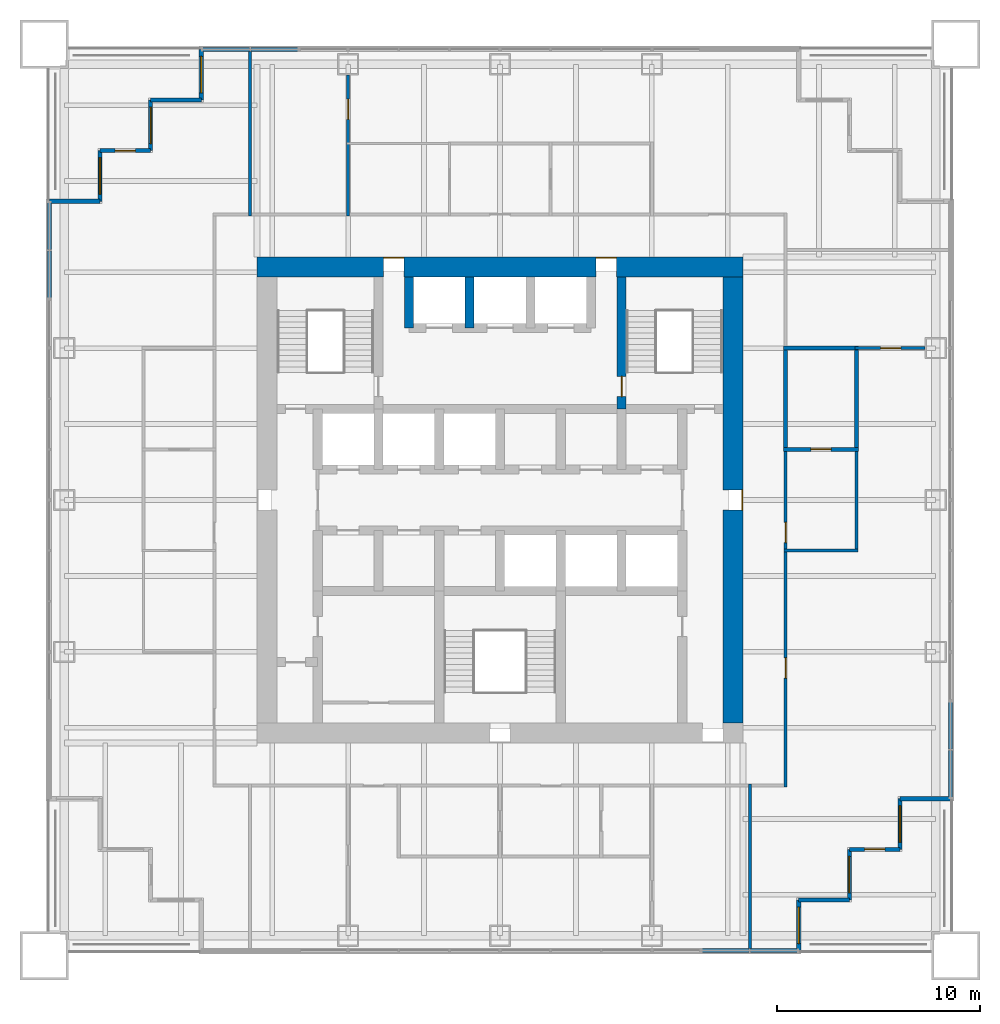
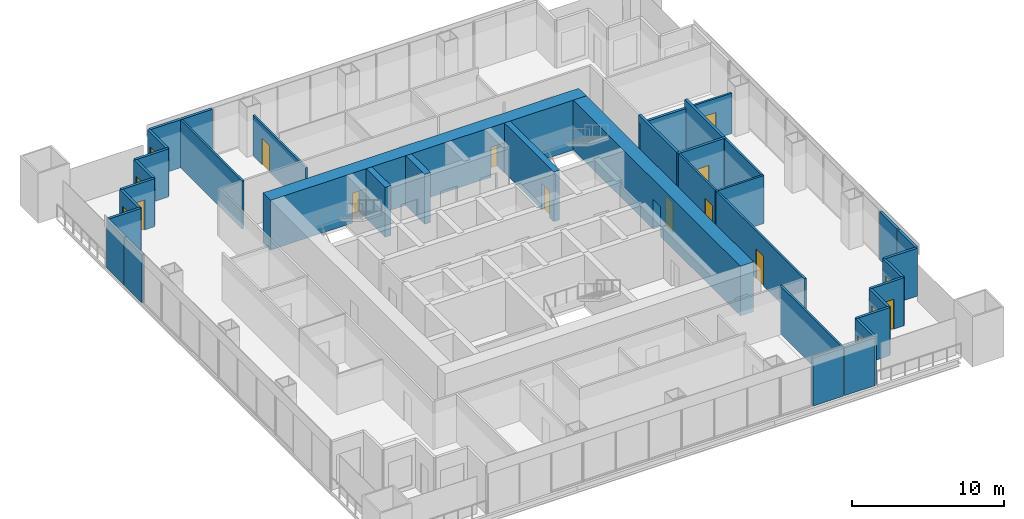
# One storey, part 10 of 13: 36 walls, 11 doors, 6 windows, 17 openings.
"""IFC4 building model written with IfcOpenShell, lengths in metres."""

from ifc_helpers import new_model, si_unit, direction, frame, frame_2d, origin, place, context, subcontext, project, spatial, rectangle, extrude, material, layer, layer_set, type_object, element, fill, save


model = new_model("IFC4")

# Units and contexts
model_context = context("Model", 3, precision=1e-05, world=origin(), true_north=direction((0.0, 1.0)))
body_context = subcontext(model_context, "Body", "Model", "MODEL_VIEW")
ifc_project = project(units=[si_unit("LENGTHUNIT", "METRE"), si_unit("AREAUNIT", "SQUARE_METRE"), si_unit("VOLUMEUNIT", "CUBIC_METRE"), si_unit("PLANEANGLEUNIT", "RADIAN"), si_unit("MASSUNIT", "GRAM", prefix="KILO")], contexts=[model_context])

# Site, building, storey
site_placement = place(None, origin())
site = spatial("IfcSite", under=ifc_project, at=site_placement, CompositionType="ELEMENT")
building_placement = place(site_placement, origin())
building = spatial("IfcBuilding", under=site, at=building_placement, Name="Tarangal Relay Tower", CompositionType="ELEMENT")
storey_placement = place(building_placement, frame((0.0, 0.0, 205.89990234375)))
storey = spatial("IfcBuildingStorey", under=building, at=storey_placement, Name="L43", CompositionType="ELEMENT", Elevation=205.89990234375)

# Wall, opening, door
ifc_material_1 = material(Name="Two layers gypsum board each side on twin steel studs, mineral wool", Category="steel")
ifc_layer_1 = layer(ifc_material_1, 0.199951171875)
ifc_layer_set_1 = layer_set([ifc_layer_1], Name="Acoustic partition 200")
wall_type_1 = type_object("IfcWallType", Name="Acoustic partition 200", PredefinedType="PARTITIONING", material=ifc_layer_set_1)
wall_1_placement = place(storey_placement, frame((14.0, 2.5, 0.0), z_axis=(0.0, 0.0, 1.0), x_axis=(1.0, 0.0, 0.0)))
wall_1 = element("IfcWall", 1, at=wall_1_placement, inside=storey, type_object=wall_type_1, Name="Partition PT2 L43", PredefinedType="PARTITIONING", context=body_context, shape_type="SweptSolid", body=[
    extrude(rectangle(XDim=3.699951171875, YDim=0.199951171875, at=frame_2d((1.85009765625, 0.0))), origin(), (0.0, 0.0, 1.0), 3.85009765625),
])
opening_1_placement = place(wall_1_placement, frame((1.35009765625, 0.0, 0.0)))
opening_1 = element("IfcOpeningElement", 2, at=opening_1_placement, cuts=wall_1, Name="Opening D2", PredefinedType="OPENING", context=body_context, shape_type="SweptSolid", body=[
    extrude(rectangle(XDim=1.0, YDim=2.10009765625, at=frame_2d((0.5, 1.050048828125))), frame((0.0, 0.10986328125, 0.0), z_axis=(0.0, -1.0, 0.0), x_axis=(1.0, 0.0, 0.0)), (0.0, 0.0, 1.0), 0.219970703125),
])
ifc_material_2 = material(Name="Hardwood door", Category="wood")
door_type_1 = type_object("IfcDoorType", Name="Door 1000 x 2100", OperationType="SINGLE_SWING_LEFT", PredefinedType="DOOR", material=ifc_material_2)
door_1_placement = place(opening_1_placement, origin())
door_1 = element("IfcDoor", 3, at=door_1_placement, inside=storey, type_object=door_type_1, Name="Door D2 to meeting room L43-07", OperationType="SINGLE_SWING_LEFT", OverallHeight=2.10009765625, OverallWidth=1.0, PredefinedType="DOOR", context=body_context, shape_type="SweptSolid", body=[
    extrude(rectangle(XDim=1.0, YDim=2.10009765625, at=frame_2d((0.5, 1.050048828125))), frame((0.0, 0.02490234375, 0.0), z_axis=(0.0, -1.0, 0.0), x_axis=(1.0, 0.0, 0.0)), (0.0, 0.0, 1.0), 0.050048828125),
])
fill(opening_1, door_1)

# Walls
wall_2_placement = place(storey_placement, frame((14.0, 7.5, 0.0), z_axis=(0.0, 0.0, 1.0), x_axis=(1.0, 0.0, 0.0)))
element("IfcWall", 4, at=wall_2_placement, inside=storey, type_object=wall_type_1, Name="Partition PT2 L43", PredefinedType="PARTITIONING", context=body_context, shape_type="SweptSolid", body=[
    extrude(rectangle(XDim=3.699951171875, YDim=0.199951171875, at=frame_2d((1.85009765625, 0.0))), origin(), (0.0, 0.0, 1.0), 3.238037109375),
])
for number, where, z_axis, x_axis, name in (
    (5, (14.10009765625, 2.39990234375, 0.0), (0.0, 0.0, 1.0), (0.0, 1.0, 0.0), "Partition PT2 L43"),
    (6, (17.60009765625, 2.39990234375, 0.0), (0.0, 0.0, 1.0), (0.0, 1.0, 0.0), "Partition PT2 L43"),
):
    element("IfcWall", number, at=place(storey_placement, frame(where, z_axis=z_axis, x_axis=x_axis)), inside=storey, type_object=wall_type_1, Name=name, PredefinedType="PARTITIONING", context=body_context, shape_type="SweptSolid", body=[
        extrude(rectangle(XDim=5.2001953125, YDim=0.199951171875, at=frame_2d((2.60009765625, 0.0))), origin(), (0.0, 0.0, 1.0), 3.85009765625),
    ])

# Wall, opening, door
ifc_material_3 = material(Name="Concrete fc' 60 MPa", Category="concrete")
ifc_layer_2 = layer(ifc_material_3, 0.449951171875)
ifc_layer_set_2 = layer_set([ifc_layer_2], Name="Core inner wall 450")
wall_type_2 = type_object("IfcWallType", Name="Core inner wall 450", PredefinedType="SHEAR", material=ifc_layer_set_2)
wall_3_placement = place(storey_placement, frame((6.0, 4.5, 0.0), z_axis=(0.0, 0.0, 1.0), x_axis=(0.0, 1.0, 0.0)))
wall_3 = element("IfcWall", 7, at=wall_3_placement, inside=storey, type_object=wall_type_2, Name="Core wall X6 L43", PredefinedType="SHEAR", context=body_context, shape_type="SweptSolid", body=[
    extrude(rectangle(XDim=6.5, YDim=0.449951171875, at=frame_2d((3.25, 0.0))), origin(), (0.0, 0.0, 1.0), 4.0),
])
opening_2_placement = place(wall_3_placement, frame((0.60009765625, 0.0, 0.0)))
opening_2 = element("IfcOpeningElement", 8, at=opening_2_placement, cuts=wall_3, Name="Opening FD1", PredefinedType="OPENING", context=body_context, shape_type="SweptSolid", body=[
    extrude(rectangle(XDim=1.0, YDim=2.10009765625, at=frame_2d((0.5, 1.050048828125))), frame((0.0, 0.23486328125, 0.0), z_axis=(0.0, -1.0, 0.0), x_axis=(1.0, 0.0, 0.0)), (0.0, 0.0, 1.0), 0.469970703125),
])
ifc_material_4 = material(Name="Steel door with hardwood frame", Category="steel")
door_type_2 = type_object("IfcDoorType", Name="Fire door 1000 x 2100", OperationType="SINGLE_SWING_LEFT", PredefinedType="DOOR", material=ifc_material_4)
door_2_placement = place(opening_2_placement, origin())
door_2 = element("IfcDoor", 9, at=door_2_placement, inside=storey, type_object=door_type_2, Name="Stair ST-B door from fire-fighting lobby L43", OperationType="SINGLE_SWING_LEFT", OverallHeight=2.10009765625, OverallWidth=1.0, PredefinedType="DOOR", context=body_context, shape_type="SweptSolid", body=[
    extrude(rectangle(XDim=1.0, YDim=2.10009765625, at=frame_2d((0.5, 1.050048828125))), frame((0.0, 0.02490234375, 0.0), z_axis=(0.0, -1.0, 0.0), x_axis=(1.0, 0.0, 0.0)), (0.0, 0.0, 1.0), 0.050048828125),
])
fill(opening_2, door_2)

# Walls
for number, where, z_axis, x_axis, name in (
    (10, (-4.5, 8.5, 0.0), (0.0, 0.0, 1.0), (0.0, 1.0, 0.0), "Core wall XM45 L43"),
    (11, (-1.5, 8.5, 0.0), (0.0, 0.0, 1.0), (0.0, 1.0, 0.0), "Core wall XM15 L43"),
):
    element("IfcWall", number, at=place(storey_placement, frame(where, z_axis=z_axis, x_axis=x_axis)), inside=storey, type_object=wall_type_2, Name=name, PredefinedType="SHEAR", context=body_context, shape_type="SweptSolid", body=[
        extrude(rectangle(XDim=2.5, YDim=0.449951171875, at=frame_2d((1.25, 0.0))), origin(), (0.0, 0.0, 1.0), 4.0),
    ])

# Wall, openings, doors
ifc_layer_3 = layer(ifc_material_3, 1.0)
ifc_layer_set_3 = layer_set([ifc_layer_3], Name="Core wall 1000")
wall_type_3 = type_object("IfcWallType", Name="Core wall 1000", PredefinedType="SHEAR", material=ifc_layer_set_3)
wall_4_placement = place(storey_placement, frame((-12.0, 11.5, 0.0), z_axis=(0.0, 0.0, 1.0), x_axis=(1.0, 0.0, 0.0)))
wall_4 = element("IfcWall", 12, at=wall_4_placement, inside=storey, type_object=wall_type_3, Name="Core wall N L43", PredefinedType="SHEAR", context=body_context, shape_type="SweptSolid", body=[
    extrude(rectangle(XDim=24.0, YDim=1.0, at=frame_2d((12.0, 0.0))), origin(), (0.0, 0.0, 1.0), 4.0),
])
opening_3_placement = place(wall_4_placement, frame((6.25, 0.0, 0.0)))
opening_3 = element("IfcOpeningElement", 13, at=opening_3_placement, cuts=wall_4, Name="Opening FD3", PredefinedType="OPENING", context=body_context, shape_type="SweptSolid", body=[
    extrude(rectangle(XDim=1.0, YDim=2.39990234375, at=frame_2d((0.5, 1.199951171875))), frame((0.0, 0.510009765625, 0.0), z_axis=(0.0, -1.0, 0.0), x_axis=(1.0, 0.0, 0.0)), (0.0, 0.0, 1.0), 1.02001953125),
])
opening_4_placement = place(wall_4_placement, frame((16.75, 0.0, 0.0)))
opening_4 = element("IfcOpeningElement", 14, at=opening_4_placement, cuts=wall_4, Name="Opening FD3", PredefinedType="OPENING", context=body_context, shape_type="SweptSolid", body=[
    extrude(rectangle(XDim=1.0, YDim=2.39990234375, at=frame_2d((0.5, 1.199951171875))), frame((0.0, 0.510009765625, 0.0), z_axis=(0.0, -1.0, 0.0), x_axis=(1.0, 0.0, 0.0)), (0.0, 0.0, 1.0), 1.02001953125),
])
door_type_3 = type_object("IfcDoorType", Name="Fire door 1000 x 2400 core entry", OperationType="SINGLE_SWING_RIGHT", PredefinedType="DOOR", material=ifc_material_4)
door_3_placement = place(opening_3_placement, origin())
door_3 = element("IfcDoor", 15, at=door_3_placement, inside=storey, type_object=door_type_3, Name="Core entry door north west L43", OperationType="SINGLE_SWING_RIGHT", OverallHeight=2.39990234375, OverallWidth=1.0, PredefinedType="DOOR", context=body_context, shape_type="SweptSolid", body=[
    extrude(rectangle(XDim=1.0, YDim=2.39990234375, at=frame_2d((0.5, 1.199951171875))), frame((0.0, 0.48486328125, 0.0), z_axis=(0.0, -1.0, 0.0), x_axis=(1.0, 0.0, 0.0)), (0.0, 0.0, 1.0), 0.050048828125),
])
fill(opening_3, door_3)
door_4_placement = place(opening_4_placement, origin())
door_4 = element("IfcDoor", 16, at=door_4_placement, inside=storey, type_object=door_type_3, Name="Core entry door north east L43", OperationType="SINGLE_SWING_RIGHT", OverallHeight=2.39990234375, OverallWidth=1.0, PredefinedType="DOOR", context=body_context, shape_type="SweptSolid", body=[
    extrude(rectangle(XDim=1.0, YDim=2.39990234375, at=frame_2d((0.5, 1.199951171875))), frame((0.0, 0.48486328125, 0.0), z_axis=(0.0, -1.0, 0.0), x_axis=(1.0, 0.0, 0.0)), (0.0, 0.0, 1.0), 0.050048828125),
])
fill(opening_4, door_4)

# Wall, opening, door
wall_5_placement = place(storey_placement, frame((11.5, 11.0, 0.0), z_axis=(0.0, 0.0, 1.0), x_axis=(0.0, -1.0, 0.0)))
wall_5 = element("IfcWall", 17, at=wall_5_placement, inside=storey, type_object=wall_type_3, Name="Core wall E L43", PredefinedType="SHEAR", context=body_context, shape_type="SweptSolid", body=[
    extrude(rectangle(XDim=22.0, YDim=1.0, at=frame_2d((11.0, 0.0))), origin(), (0.0, 0.0, 1.0), 4.0),
])
opening_5_placement = place(wall_5_placement, frame((10.5, 0.0, 0.0)))
opening_5 = element("IfcOpeningElement", 18, at=opening_5_placement, cuts=wall_5, Name="Opening FD3", PredefinedType="OPENING", context=body_context, shape_type="SweptSolid", body=[
    extrude(rectangle(XDim=1.0, YDim=2.39990234375, at=frame_2d((0.5, 1.199951171875))), frame((0.0, 0.510009765625, 0.0), z_axis=(0.0, -1.0, 0.0), x_axis=(1.0, 0.0, 0.0)), (0.0, 0.0, 1.0), 1.02001953125),
])
door_5_placement = place(opening_5_placement, origin())
door_5 = element("IfcDoor", 19, at=door_5_placement, inside=storey, type_object=door_type_3, Name="Core entry door east L43", OperationType="SINGLE_SWING_RIGHT", OverallHeight=2.39990234375, OverallWidth=1.0, PredefinedType="DOOR", context=body_context, shape_type="SweptSolid", body=[
    extrude(rectangle(XDim=1.0, YDim=2.39990234375, at=frame_2d((0.5, 1.199951171875))), frame((0.0, 0.48486328125, 0.0), z_axis=(0.0, -1.0, 0.0), x_axis=(1.0, 0.0, 0.0)), (0.0, 0.0, 1.0), 0.050048828125),
])
fill(opening_5, door_5)

# Wall
ifc_material_5 = material(Name="Black metal clad insulated wall", Category="steel")
ifc_layer_4 = layer(ifc_material_5, 0.199951171875)
ifc_layer_set_4 = layer_set([ifc_layer_4], Name="Corner wall metal clad 200")
wall_type_4 = type_object("IfcWallType", Name="Corner wall metal clad 200", PredefinedType="SOLIDWALL", material=ifc_layer_set_4)
wall_6_placement = place(storey_placement, frame((22.25, -14.75, 0.0), z_axis=(0.0, 0.0, 1.0), x_axis=(-1.0, 0.0, 0.0)))
element("IfcWall", 20, at=wall_6_placement, inside=storey, type_object=wall_type_4, Name="Facade wall E facade L43", PredefinedType="SOLIDWALL", context=body_context, shape_type="SweptSolid", body=[
    extrude(rectangle(XDim=2.5, YDim=0.199951171875, at=frame_2d((1.25, 0.0))), origin(), (0.0, 0.0, 1.0), 3.85009765625),
])

# Wall, opening, window
wall_7_placement = place(storey_placement, frame((19.75, -14.75, 0.0), z_axis=(0.0, 0.0, 1.0), x_axis=(0.0, -1.0, 0.0)))
wall_7 = element("IfcWall", 21, at=wall_7_placement, inside=storey, type_object=wall_type_4, Name="Facade wall E facade L43", PredefinedType="SOLIDWALL", context=body_context, shape_type="SweptSolid", body=[
    extrude(rectangle(XDim=2.5, YDim=0.199951171875, at=frame_2d((1.25, 0.0))), origin(), (0.0, 0.0, 1.0), 3.85009765625),
])
opening_6_placement = place(wall_7_placement, frame((0.35009765625, 0.0, 0.300048828125)))
opening_6 = element("IfcOpeningElement", 22, at=opening_6_placement, cuts=wall_7, Name="Opening WN2", PredefinedType="OPENING", context=body_context, shape_type="SweptSolid", body=[
    extrude(rectangle(XDim=1.800048828125, YDim=2.39990234375, at=frame_2d((0.89990234375, 1.199951171875))), frame((0.0, 0.10986328125, 0.0), z_axis=(0.0, -1.0, 0.0), x_axis=(1.0, 0.0, 0.0)), (0.0, 0.0, 1.0), 0.219970703125),
])
ifc_material_6 = material(Name="Dark tinted double glazing in black aluminium frame", Category="aluminium")
window_type = type_object("IfcWindowType", Name="Corner window 1800 x 2400", PartitioningType="SINGLE_PANEL", PredefinedType="WINDOW", material=ifc_material_6)
window_1_placement = place(opening_6_placement, origin())
window_1 = element("IfcWindow", 23, at=window_1_placement, inside=storey, type_object=window_type, Name="Corner window WN2 E facade L43", OverallHeight=2.39990234375, OverallWidth=1.800048828125, PartitioningType="SINGLE_PANEL", PredefinedType="WINDOW", context=body_context, shape_type="SweptSolid", body=[
    extrude(rectangle(XDim=1.800048828125, YDim=2.39990234375, at=frame_2d((0.89990234375, 1.199951171875))), frame((0.0, 0.030029296875, 0.0), z_axis=(0.0, -1.0, 0.0), x_axis=(1.0, 0.0, 0.0)), (0.0, 0.0, 1.0), 0.06005859375),
])
fill(opening_6, window_1)

# Wall, opening, door
wall_8_placement = place(storey_placement, frame((19.75, -17.25, 0.0), z_axis=(0.0, 0.0, 1.0), x_axis=(-1.0, 0.0, 0.0)))
wall_8 = element("IfcWall", 24, at=wall_8_placement, inside=storey, type_object=wall_type_4, Name="Facade wall E facade L43", PredefinedType="SOLIDWALL", context=body_context, shape_type="SweptSolid", body=[
    extrude(rectangle(XDim=2.5, YDim=0.199951171875, at=frame_2d((1.25, 0.0))), origin(), (0.0, 0.0, 1.0), 3.85009765625),
])
opening_7_placement = place(wall_8_placement, frame((0.75, 0.0, 0.0)))
opening_7 = element("IfcOpeningElement", 25, at=opening_7_placement, cuts=wall_8, Name="Opening TD1", PredefinedType="OPENING", context=body_context, shape_type="SweptSolid", body=[
    extrude(rectangle(XDim=1.0, YDim=2.39990234375, at=frame_2d((0.5, 1.199951171875))), frame((0.0, 0.10986328125, 0.0), z_axis=(0.0, -1.0, 0.0), x_axis=(1.0, 0.0, 0.0)), (0.0, 0.0, 1.0), 0.219970703125),
])
ifc_material_7 = material(Name="Aluminium glazed door", Category="aluminium")
door_type_4 = type_object("IfcDoorType", Name="Terrace door 1000 x 2400", OperationType="SINGLE_SWING_RIGHT", PredefinedType="DOOR", material=ifc_material_7)
door_6_placement = place(opening_7_placement, origin())
door_6 = element("IfcDoor", 26, at=door_6_placement, inside=storey, type_object=door_type_4, Name="Terrace door TD1 SE L43", OperationType="SINGLE_SWING_RIGHT", OverallHeight=2.39990234375, OverallWidth=1.0, PredefinedType="DOOR", context=body_context, shape_type="SweptSolid", body=[
    extrude(rectangle(XDim=1.0, YDim=2.39990234375, at=frame_2d((0.5, 1.199951171875))), frame((0.0, 0.02490234375, 0.0), z_axis=(0.0, -1.0, 0.0), x_axis=(1.0, 0.0, 0.0)), (0.0, 0.0, 1.0), 0.050048828125),
])
fill(opening_7, door_6)

# Wall, opening, window
wall_9_placement = place(storey_placement, frame((17.25, -17.25, 0.0), z_axis=(0.0, 0.0, 1.0), x_axis=(0.0, -1.0, 0.0)))
wall_9 = element("IfcWall", 27, at=wall_9_placement, inside=storey, type_object=wall_type_4, Name="Facade wall E facade L43", PredefinedType="SOLIDWALL", context=body_context, shape_type="SweptSolid", body=[
    extrude(rectangle(XDim=2.5, YDim=0.199951171875, at=frame_2d((1.25, 0.0))), origin(), (0.0, 0.0, 1.0), 3.85009765625),
])
opening_8_placement = place(wall_9_placement, frame((0.35009765625, 0.0, 0.300048828125)))
opening_8 = element("IfcOpeningElement", 28, at=opening_8_placement, cuts=wall_9, Name="Opening WN2", PredefinedType="OPENING", context=body_context, shape_type="SweptSolid", body=[
    extrude(rectangle(XDim=1.800048828125, YDim=2.39990234375, at=frame_2d((0.89990234375, 1.199951171875))), frame((0.0, 0.10986328125, 0.0), z_axis=(0.0, -1.0, 0.0), x_axis=(1.0, 0.0, 0.0)), (0.0, 0.0, 1.0), 0.219970703125),
])
window_2_placement = place(opening_8_placement, origin())
window_2 = element("IfcWindow", 29, at=window_2_placement, inside=storey, type_object=window_type, Name="Corner window WN2 E facade L43", OverallHeight=2.39990234375, OverallWidth=1.800048828125, PartitioningType="SINGLE_PANEL", PredefinedType="WINDOW", context=body_context, shape_type="SweptSolid", body=[
    extrude(rectangle(XDim=1.800048828125, YDim=2.39990234375, at=frame_2d((0.89990234375, 1.199951171875))), frame((0.0, 0.030029296875, 0.0), z_axis=(0.0, -1.0, 0.0), x_axis=(1.0, 0.0, 0.0)), (0.0, 0.0, 1.0), 0.06005859375),
])
fill(opening_8, window_2)

# Wall
wall_10_placement = place(storey_placement, frame((17.25, -19.75, 0.0), z_axis=(0.0, 0.0, 1.0), x_axis=(-1.0, 0.0, 0.0)))
element("IfcWall", 30, at=wall_10_placement, inside=storey, type_object=wall_type_4, Name="Facade wall E facade L43", PredefinedType="SOLIDWALL", context=body_context, shape_type="SweptSolid", body=[
    extrude(rectangle(XDim=2.5, YDim=0.199951171875, at=frame_2d((1.25, 0.0))), origin(), (0.0, 0.0, 1.0), 3.85009765625),
])

# Wall, opening, window
wall_11_placement = place(storey_placement, frame((14.75, -19.75, 0.0), z_axis=(0.0, 0.0, 1.0), x_axis=(0.0, -1.0, 0.0)))
wall_11 = element("IfcWall", 31, at=wall_11_placement, inside=storey, type_object=wall_type_4, Name="Facade wall E facade L43", PredefinedType="SOLIDWALL", context=body_context, shape_type="SweptSolid", body=[
    extrude(rectangle(XDim=2.5, YDim=0.199951171875, at=frame_2d((1.25, 0.0))), origin(), (0.0, 0.0, 1.0), 3.85009765625),
])
opening_9_placement = place(wall_11_placement, frame((0.35009765625, 0.0, 0.300048828125)))
opening_9 = element("IfcOpeningElement", 32, at=opening_9_placement, cuts=wall_11, Name="Opening WN2", PredefinedType="OPENING", context=body_context, shape_type="SweptSolid", body=[
    extrude(rectangle(XDim=1.800048828125, YDim=2.39990234375, at=frame_2d((0.89990234375, 1.199951171875))), frame((0.0, 0.10986328125, 0.0), z_axis=(0.0, -1.0, 0.0), x_axis=(1.0, 0.0, 0.0)), (0.0, 0.0, 1.0), 0.219970703125),
])
window_3_placement = place(opening_9_placement, origin())
window_3 = element("IfcWindow", 33, at=window_3_placement, inside=storey, type_object=window_type, Name="Corner window WN2 E facade L43", OverallHeight=2.39990234375, OverallWidth=1.800048828125, PartitioningType="SINGLE_PANEL", PredefinedType="WINDOW", context=body_context, shape_type="SweptSolid", body=[
    extrude(rectangle(XDim=1.800048828125, YDim=2.39990234375, at=frame_2d((0.89990234375, 1.199951171875))), frame((0.0, 0.030029296875, 0.0), z_axis=(0.0, -1.0, 0.0), x_axis=(1.0, 0.0, 0.0)), (0.0, 0.0, 1.0), 0.06005859375),
])
fill(opening_9, window_3)

# Wall
wall_12_placement = place(storey_placement, frame((-22.25, 14.75, 0.0), z_axis=(0.0, 0.0, 1.0), x_axis=(1.0, 0.0, 0.0)))
element("IfcWall", 34, at=wall_12_placement, inside=storey, type_object=wall_type_4, Name="Facade wall W facade L43", PredefinedType="SOLIDWALL", context=body_context, shape_type="SweptSolid", body=[
    extrude(rectangle(XDim=2.5, YDim=0.199951171875, at=frame_2d((1.25, 0.0))), origin(), (0.0, 0.0, 1.0), 3.85009765625),
])

# Wall, opening, window
wall_13_placement = place(storey_placement, frame((-19.75, 14.75, 0.0), z_axis=(0.0, 0.0, 1.0), x_axis=(0.0, 1.0, 0.0)))
wall_13 = element("IfcWall", 35, at=wall_13_placement, inside=storey, type_object=wall_type_4, Name="Facade wall W facade L43", PredefinedType="SOLIDWALL", context=body_context, shape_type="SweptSolid", body=[
    extrude(rectangle(XDim=2.5, YDim=0.199951171875, at=frame_2d((1.25, 0.0))), origin(), (0.0, 0.0, 1.0), 3.85009765625),
])
opening_10_placement = place(wall_13_placement, frame((0.35009765625, 0.0, 0.300048828125)))
opening_10 = element("IfcOpeningElement", 36, at=opening_10_placement, cuts=wall_13, Name="Opening WN2", PredefinedType="OPENING", context=body_context, shape_type="SweptSolid", body=[
    extrude(rectangle(XDim=1.800048828125, YDim=2.39990234375, at=frame_2d((0.89990234375, 1.199951171875))), frame((0.0, 0.10986328125, 0.0), z_axis=(0.0, -1.0, 0.0), x_axis=(1.0, 0.0, 0.0)), (0.0, 0.0, 1.0), 0.219970703125),
])
window_4_placement = place(opening_10_placement, origin())
window_4 = element("IfcWindow", 37, at=window_4_placement, inside=storey, type_object=window_type, Name="Corner window WN2 W facade L43", OverallHeight=2.39990234375, OverallWidth=1.800048828125, PartitioningType="SINGLE_PANEL", PredefinedType="WINDOW", context=body_context, shape_type="SweptSolid", body=[
    extrude(rectangle(XDim=1.800048828125, YDim=2.39990234375, at=frame_2d((0.89990234375, 1.199951171875))), frame((0.0, 0.030029296875, 0.0), z_axis=(0.0, -1.0, 0.0), x_axis=(1.0, 0.0, 0.0)), (0.0, 0.0, 1.0), 0.06005859375),
])
fill(opening_10, window_4)

# Wall, opening, door
wall_14_placement = place(storey_placement, frame((-19.75, 17.25, 0.0), z_axis=(0.0, 0.0, 1.0), x_axis=(1.0, 0.0, 0.0)))
wall_14 = element("IfcWall", 38, at=wall_14_placement, inside=storey, type_object=wall_type_4, Name="Facade wall W facade L43", PredefinedType="SOLIDWALL", context=body_context, shape_type="SweptSolid", body=[
    extrude(rectangle(XDim=2.5, YDim=0.199951171875, at=frame_2d((1.25, 0.0))), origin(), (0.0, 0.0, 1.0), 3.85009765625),
])
opening_11_placement = place(wall_14_placement, frame((0.75, 0.0, 0.0)))
opening_11 = element("IfcOpeningElement", 39, at=opening_11_placement, cuts=wall_14, Name="Opening TD1", PredefinedType="OPENING", context=body_context, shape_type="SweptSolid", body=[
    extrude(rectangle(XDim=1.0, YDim=2.39990234375, at=frame_2d((0.5, 1.199951171875))), frame((0.0, 0.10986328125, 0.0), z_axis=(0.0, -1.0, 0.0), x_axis=(1.0, 0.0, 0.0)), (0.0, 0.0, 1.0), 0.219970703125),
])
door_7_placement = place(opening_11_placement, origin())
door_7 = element("IfcDoor", 40, at=door_7_placement, inside=storey, type_object=door_type_4, Name="Terrace door TD1 NW L43", OperationType="SINGLE_SWING_RIGHT", OverallHeight=2.39990234375, OverallWidth=1.0, PredefinedType="DOOR", context=body_context, shape_type="SweptSolid", body=[
    extrude(rectangle(XDim=1.0, YDim=2.39990234375, at=frame_2d((0.5, 1.199951171875))), frame((0.0, 0.02490234375, 0.0), z_axis=(0.0, -1.0, 0.0), x_axis=(1.0, 0.0, 0.0)), (0.0, 0.0, 1.0), 0.050048828125),
])
fill(opening_11, door_7)

# Wall, opening, window
wall_15_placement = place(storey_placement, frame((-17.25, 17.25, 0.0), z_axis=(0.0, 0.0, 1.0), x_axis=(0.0, 1.0, 0.0)))
wall_15 = element("IfcWall", 41, at=wall_15_placement, inside=storey, type_object=wall_type_4, Name="Facade wall W facade L43", PredefinedType="SOLIDWALL", context=body_context, shape_type="SweptSolid", body=[
    extrude(rectangle(XDim=2.5, YDim=0.199951171875, at=frame_2d((1.25, 0.0))), origin(), (0.0, 0.0, 1.0), 3.85009765625),
])
opening_12_placement = place(wall_15_placement, frame((0.35009765625, 0.0, 0.300048828125)))
opening_12 = element("IfcOpeningElement", 42, at=opening_12_placement, cuts=wall_15, Name="Opening WN2", PredefinedType="OPENING", context=body_context, shape_type="SweptSolid", body=[
    extrude(rectangle(XDim=1.800048828125, YDim=2.39990234375, at=frame_2d((0.89990234375, 1.199951171875))), frame((0.0, 0.10986328125, 0.0), z_axis=(0.0, -1.0, 0.0), x_axis=(1.0, 0.0, 0.0)), (0.0, 0.0, 1.0), 0.219970703125),
])
window_5_placement = place(opening_12_placement, origin())
window_5 = element("IfcWindow", 43, at=window_5_placement, inside=storey, type_object=window_type, Name="Corner window WN2 W facade L43", OverallHeight=2.39990234375, OverallWidth=1.800048828125, PartitioningType="SINGLE_PANEL", PredefinedType="WINDOW", context=body_context, shape_type="SweptSolid", body=[
    extrude(rectangle(XDim=1.800048828125, YDim=2.39990234375, at=frame_2d((0.89990234375, 1.199951171875))), frame((0.0, 0.030029296875, 0.0), z_axis=(0.0, -1.0, 0.0), x_axis=(1.0, 0.0, 0.0)), (0.0, 0.0, 1.0), 0.06005859375),
])
fill(opening_12, window_5)

# Wall
wall_16_placement = place(storey_placement, frame((-17.25, 19.75, 0.0), z_axis=(0.0, 0.0, 1.0), x_axis=(1.0, 0.0, 0.0)))
element("IfcWall", 44, at=wall_16_placement, inside=storey, type_object=wall_type_4, Name="Facade wall W facade L43", PredefinedType="SOLIDWALL", context=body_context, shape_type="SweptSolid", body=[
    extrude(rectangle(XDim=2.5, YDim=0.199951171875, at=frame_2d((1.25, 0.0))), origin(), (0.0, 0.0, 1.0), 3.85009765625),
])

# Wall, opening, window
wall_17_placement = place(storey_placement, frame((-14.75, 19.75, 0.0), z_axis=(0.0, 0.0, 1.0), x_axis=(0.0, 1.0, 0.0)))
wall_17 = element("IfcWall", 45, at=wall_17_placement, inside=storey, type_object=wall_type_4, Name="Facade wall W facade L43", PredefinedType="SOLIDWALL", context=body_context, shape_type="SweptSolid", body=[
    extrude(rectangle(XDim=2.5, YDim=0.199951171875, at=frame_2d((1.25, 0.0))), origin(), (0.0, 0.0, 1.0), 3.85009765625),
])
opening_13_placement = place(wall_17_placement, frame((0.35009765625, 0.0, 0.300048828125)))
opening_13 = element("IfcOpeningElement", 46, at=opening_13_placement, cuts=wall_17, Name="Opening WN2", PredefinedType="OPENING", context=body_context, shape_type="SweptSolid", body=[
    extrude(rectangle(XDim=1.800048828125, YDim=2.39990234375, at=frame_2d((0.89990234375, 1.199951171875))), frame((0.0, 0.10986328125, 0.0), z_axis=(0.0, -1.0, 0.0), x_axis=(1.0, 0.0, 0.0)), (0.0, 0.0, 1.0), 0.219970703125),
])
window_6_placement = place(opening_13_placement, origin())
window_6 = element("IfcWindow", 47, at=window_6_placement, inside=storey, type_object=window_type, Name="Corner window WN2 W facade L43", OverallHeight=2.39990234375, OverallWidth=1.800048828125, PartitioningType="SINGLE_PANEL", PredefinedType="WINDOW", context=body_context, shape_type="SweptSolid", body=[
    extrude(rectangle(XDim=1.800048828125, YDim=2.39990234375, at=frame_2d((0.89990234375, 1.199951171875))), frame((0.0, 0.030029296875, 0.0), z_axis=(0.0, -1.0, 0.0), x_axis=(1.0, 0.0, 0.0)), (0.0, 0.0, 1.0), 0.06005859375),
])
fill(opening_13, window_6)

# Walls
ifc_layer_5 = layer(ifc_material_5, 0.199951171875)
ifc_layer_set_5 = layer_set([ifc_layer_5], Name="Facade infill wall metal clad 200")
wall_type_5 = type_object("IfcWallType", Name="Facade infill wall metal clad 200", PredefinedType="SOLIDWALL", material=ifc_layer_set_5)
for number, where, z_axis, x_axis, name in (
    (48, (-14.68505859375, 22.25, 0.0), (0.0, 0.0, 1.0), (1.0, 0.0, 0.0), "Facade infill wall N facade L43 1.1"),
    (49, (-12.30078125, 22.25, 0.0), (0.0, 0.0, 1.0), (1.0, 0.0, 0.0), "Facade infill wall N facade L43 2.1"),
    (50, (22.25, -9.981689453125, 0.0), (0.0, 0.0, 1.0), (0.0, -1.0, 0.0), "Facade infill wall E facade L43 1.1"),
    (51, (22.25, -12.365966796875, 0.0), (0.0, 0.0, 1.0), (0.0, -1.0, 0.0), "Facade infill wall E facade L43 2.1"),
    (52, (14.68505859375, -22.25, 0.0), (0.0, 0.0, 1.0), (-1.0, 0.0, 0.0), "Facade infill wall S facade L43 1.1"),
    (53, (12.30078125, -22.25, 0.0), (0.0, 0.0, 1.0), (-1.0, 0.0, 0.0), "Facade infill wall S facade L43 2.1"),
    (54, (-22.25, 9.981689453125, 0.0), (0.0, 0.0, 1.0), (0.0, 1.0, 0.0), "Facade infill wall W facade L43 1.1"),
    (55, (-22.25, 12.365966796875, 0.0), (0.0, 0.0, 1.0), (0.0, 1.0, 0.0), "Facade infill wall W facade L43 2.1"),
):
    element("IfcWall", number, at=place(storey_placement, frame(where, z_axis=z_axis, x_axis=x_axis)), inside=storey, type_object=wall_type_5, Name=name, PredefinedType="SOLIDWALL", context=body_context, shape_type="SweptSolid", body=[
        extrude(rectangle(XDim=2.319091796875, YDim=0.199951171875, at=frame_2d((1.15966796875, 0.0))), origin(), (0.0, 0.0, 1.0), 3.85009765625),
    ])
ifc_material_8 = material(Name="Gypsum board on steel studs", Category="steel")
ifc_layer_6 = layer(ifc_material_8, 0.14990234375)
ifc_layer_set_6 = layer_set([ifc_layer_6], Name="Partition 150")
wall_type_6 = type_object("IfcWallType", Name="Partition 150", PredefinedType="PARTITIONING", material=ifc_layer_set_6)
wall_18_placement = place(storey_placement, frame((14.02490234375, -2.5, 0.0), z_axis=(0.0, 0.0, 1.0), x_axis=(1.0, 0.0, 0.0)))
element("IfcWall", 56, at=wall_18_placement, inside=storey, type_object=wall_type_6, Name="Partition PT1 L43", PredefinedType="PARTITIONING", context=body_context, shape_type="SweptSolid", body=[
    extrude(rectangle(XDim=3.650146484375, YDim=0.14990234375, at=frame_2d((1.8251953125, 0.0))), origin(), (0.0, 0.0, 1.0), 3.85009765625),
])

# Wall, opening, door
wall_19_placement = place(storey_placement, frame((17.52490234375, 7.5, 0.0), z_axis=(0.0, 0.0, 1.0), x_axis=(1.0, 0.0, 0.0)))
wall_19 = element("IfcWall", 57, at=wall_19_placement, inside=storey, type_object=wall_type_6, Name="Partition PT1 L43", PredefinedType="PARTITIONING", context=body_context, shape_type="SweptSolid", body=[
    extrude(rectangle(XDim=3.465087890625, YDim=0.14990234375, at=frame_2d((1.732421875, 0.0))), origin(), (0.0, 0.0, 1.0), 3.238037109375),
])
opening_14_placement = place(wall_19_placement, frame((1.27001953125, 0.0, 0.0)))
opening_14 = element("IfcOpeningElement", 58, at=opening_14_placement, cuts=wall_19, Name="Opening D2", PredefinedType="OPENING", context=body_context, shape_type="SweptSolid", body=[
    extrude(rectangle(XDim=1.0, YDim=2.10009765625, at=frame_2d((0.5, 1.050048828125))), frame((0.0, 0.0849609375, 0.0), z_axis=(0.0, -1.0, 0.0), x_axis=(1.0, 0.0, 0.0)), (0.0, 0.0, 1.0), 0.169921875),
])
door_8_placement = place(opening_14_placement, origin())
door_8 = element("IfcDoor", 59, at=door_8_placement, inside=storey, type_object=door_type_1, Name="Door D2 to executive office L43-06", OperationType="SINGLE_SWING_LEFT", OverallHeight=2.10009765625, OverallWidth=1.0, PredefinedType="DOOR", context=body_context, shape_type="SweptSolid", body=[
    extrude(rectangle(XDim=1.0, YDim=2.10009765625, at=frame_2d((0.5, 1.050048828125))), frame((0.0, 0.02490234375, 0.0), z_axis=(0.0, -1.0, 0.0), x_axis=(1.0, 0.0, 0.0)), (0.0, 0.0, 1.0), 0.050048828125),
])
fill(opening_14, door_8)

# Wall
wall_20_placement = place(storey_placement, frame((-12.3330078125, 14.02490234375, 0.0), z_axis=(0.0, 0.0, 1.0), x_axis=(0.0, 1.0, 0.0)))
element("IfcWall", 60, at=wall_20_placement, inside=storey, type_object=wall_type_6, Name="Partition PT1 L43", PredefinedType="PARTITIONING", context=body_context, shape_type="SweptSolid", body=[
    extrude(rectangle(XDim=8.125, YDim=0.14990234375, at=frame_2d((4.0625, 0.0))), origin(), (0.0, 0.0, 1.0), 3.85009765625),
])

# Wall, opening, door
wall_21_placement = place(storey_placement, frame((-7.5, 14.02490234375, 0.0), z_axis=(0.0, 0.0, 1.0), x_axis=(0.0, 1.0, 0.0)))
wall_21 = element("IfcWall", 61, at=wall_21_placement, inside=storey, type_object=wall_type_6, Name="Partition PT1 L43", PredefinedType="PARTITIONING", context=body_context, shape_type="SweptSolid", body=[
    extrude(rectangle(XDim=6.965087890625, YDim=0.14990234375, at=frame_2d((3.482421875, 0.0))), origin(), (0.0, 0.0, 1.0), 3.238037109375),
])
opening_15_placement = place(wall_21_placement, frame((4.77001953125, 0.0, 0.0)))
opening_15 = element("IfcOpeningElement", 62, at=opening_15_placement, cuts=wall_21, Name="Opening D2", PredefinedType="OPENING", context=body_context, shape_type="SweptSolid", body=[
    extrude(rectangle(XDim=1.0, YDim=2.10009765625, at=frame_2d((0.5, 1.050048828125))), frame((0.0, 0.0849609375, 0.0), z_axis=(0.0, -1.0, 0.0), x_axis=(1.0, 0.0, 0.0)), (0.0, 0.0, 1.0), 0.169921875),
])
door_9_placement = place(opening_15_placement, origin())
door_9 = element("IfcDoor", 63, at=door_9_placement, inside=storey, type_object=door_type_1, Name="Door D2 to executive office L43-02", OperationType="SINGLE_SWING_LEFT", OverallHeight=2.10009765625, OverallWidth=1.0, PredefinedType="DOOR", context=body_context, shape_type="SweptSolid", body=[
    extrude(rectangle(XDim=1.0, YDim=2.10009765625, at=frame_2d((0.5, 1.050048828125))), frame((0.0, 0.02490234375, 0.0), z_axis=(0.0, -1.0, 0.0), x_axis=(1.0, 0.0, 0.0)), (0.0, 0.0, 1.0), 0.050048828125),
])
fill(opening_15, door_9)

# Wall
wall_22_placement = place(storey_placement, frame((12.3330078125, -22.14990234375, 0.0), z_axis=(0.0, 0.0, 1.0), x_axis=(0.0, 1.0, 0.0)))
element("IfcWall", 64, at=wall_22_placement, inside=storey, type_object=wall_type_6, Name="Partition PT1 L43", PredefinedType="PARTITIONING", context=body_context, shape_type="SweptSolid", body=[
    extrude(rectangle(XDim=8.125, YDim=0.14990234375, at=frame_2d((4.0625, 0.0))), origin(), (0.0, 0.0, 1.0), 3.85009765625),
])

# Wall, openings, doors
wall_23_placement = place(storey_placement, frame((14.10009765625, -14.175048828125, 0.0), z_axis=(0.0, 0.0, 1.0), x_axis=(0.0, 1.0, 0.0)))
wall_23 = element("IfcWall", 65, at=wall_23_placement, inside=storey, type_object=wall_type_6, Name="Partition PT1 L43", PredefinedType="PARTITIONING", context=body_context, shape_type="SweptSolid", body=[
    extrude(rectangle(XDim=16.75, YDim=0.14990234375, at=frame_2d((8.375, 0.0))), origin(), (0.0, 0.0, 1.0), 3.85009765625),
])
opening_16_placement = place(wall_23_placement, frame((12.074951171875, 0.0, 0.0)))
opening_16 = element("IfcOpeningElement", 66, at=opening_16_placement, cuts=wall_23, Name="Opening SD1", PredefinedType="OPENING", context=body_context, shape_type="SweptSolid", body=[
    extrude(rectangle(XDim=1.0, YDim=2.39990234375, at=frame_2d((0.5, 1.199951171875))), frame((0.0, 0.0849609375, 0.0), z_axis=(0.0, -1.0, 0.0), x_axis=(1.0, 0.0, 0.0)), (0.0, 0.0, 1.0), 0.169921875),
])
opening_17_placement = place(wall_23_placement, frame((5.375, 0.0, 0.0)))
opening_17 = element("IfcOpeningElement", 67, at=opening_17_placement, cuts=wall_23, Name="Opening SD1", PredefinedType="OPENING", context=body_context, shape_type="SweptSolid", body=[
    extrude(rectangle(XDim=1.0, YDim=2.39990234375, at=frame_2d((0.5, 1.199951171875))), frame((0.0, 0.0849609375, 0.0), z_axis=(0.0, -1.0, 0.0), x_axis=(1.0, 0.0, 0.0)), (0.0, 0.0, 1.0), 0.169921875),
])
door_type_5 = type_object("IfcDoorType", Name="Suite entrance door 1000 x 2400", OperationType="SINGLE_SWING_RIGHT", PredefinedType="DOOR", material=ifc_material_4)
door_10_placement = place(opening_16_placement, origin())
door_10 = element("IfcDoor", 68, at=door_10_placement, inside=storey, type_object=door_type_5, Name="Door SD1 to reception L43-08", OperationType="SINGLE_SWING_RIGHT", OverallHeight=2.39990234375, OverallWidth=1.0, PredefinedType="DOOR", context=body_context, shape_type="SweptSolid", body=[
    extrude(rectangle(XDim=1.0, YDim=2.39990234375, at=frame_2d((0.5, 1.199951171875))), frame((0.0, 0.02490234375, 0.0), z_axis=(0.0, -1.0, 0.0), x_axis=(1.0, 0.0, 0.0)), (0.0, 0.0, 1.0), 0.050048828125),
])
fill(opening_16, door_10)
door_11_placement = place(opening_17_placement, origin())
door_11 = element("IfcDoor", 69, at=door_11_placement, inside=storey, type_object=door_type_5, Name="Door SD1 to open plan office L43-19", OperationType="SINGLE_SWING_RIGHT", OverallHeight=2.39990234375, OverallWidth=1.0, PredefinedType="DOOR", context=body_context, shape_type="SweptSolid", body=[
    extrude(rectangle(XDim=1.0, YDim=2.39990234375, at=frame_2d((0.5, 1.199951171875))), frame((0.0, 0.02490234375, 0.0), z_axis=(0.0, -1.0, 0.0), x_axis=(1.0, 0.0, 0.0)), (0.0, 0.0, 1.0), 0.050048828125),
])
fill(opening_17, door_11)

# Wall
wall_24_placement = place(storey_placement, frame((17.60009765625, -2.574951171875, 0.0), z_axis=(0.0, 0.0, 1.0), x_axis=(0.0, 1.0, 0.0)))
element("IfcWall", 70, at=wall_24_placement, inside=storey, type_object=wall_type_6, Name="Partition PT1 L43", PredefinedType="PARTITIONING", context=body_context, shape_type="SweptSolid", body=[
    extrude(rectangle(XDim=5.14990234375, YDim=0.14990234375, at=frame_2d((2.574951171875, 0.0))), origin(), (0.0, 0.0, 1.0), 3.85009765625),
])

save(model, "model.ifc")
